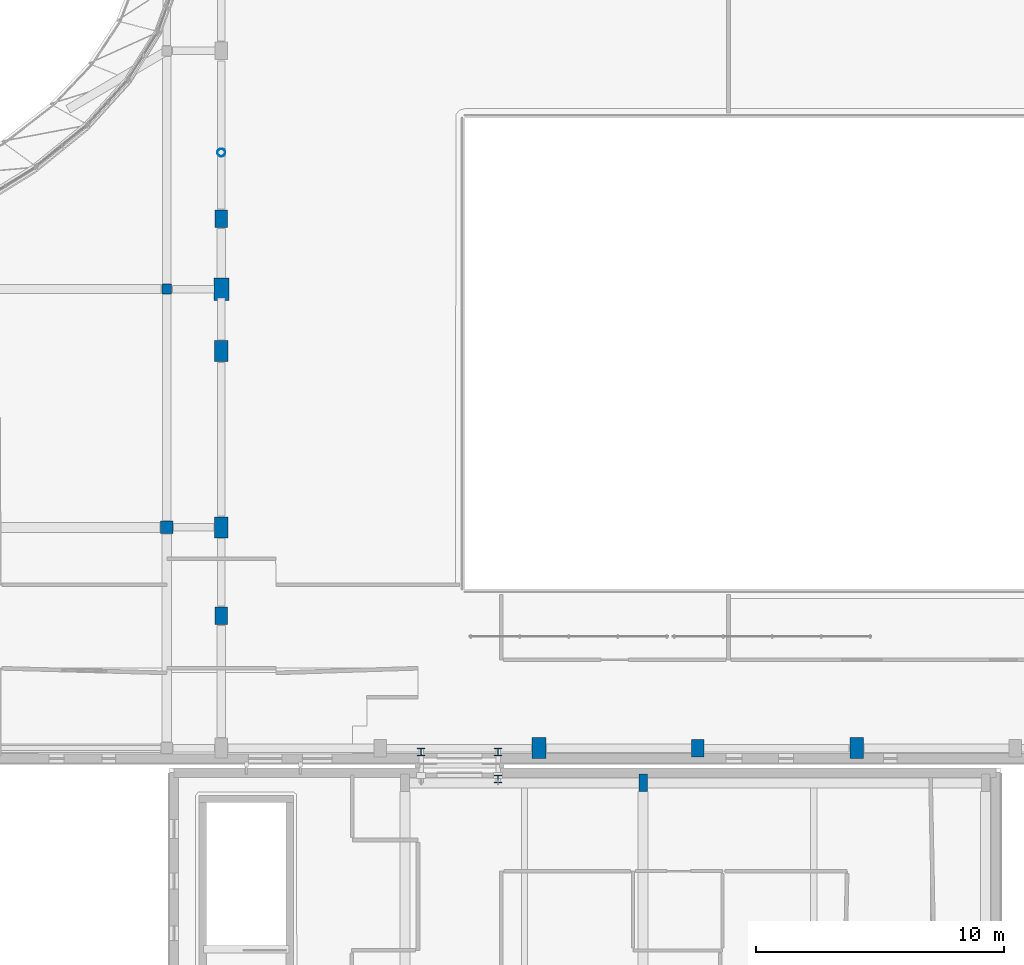
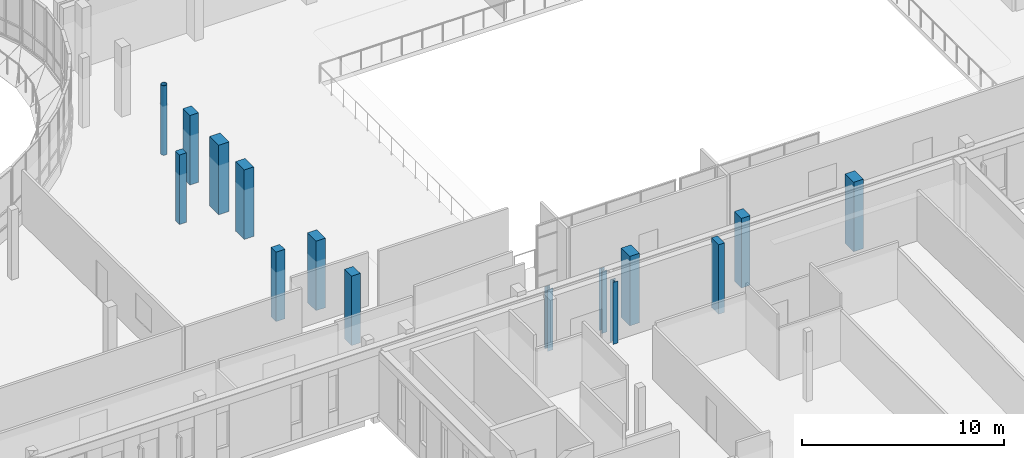
# One storey, part 5 of 84: 15 columns.
"""IFC4 building model written with IfcOpenShell, lengths in metres."""

from ifc_helpers import new_model, si_unit, direction, frame, origin, origin_2d, place, context, subcontext, project, spatial, rectangle, hollow_circle, i_section, extrude, material, material_profile, profile_set, type_object, element, save


model = new_model("IFC4")

# Units and contexts
model_context = context("Model", 3, precision=1e-05, world=origin(), true_north=direction((0.0, 1.0)))
body_context = subcontext(model_context, "Body", "Model", "MODEL_VIEW")
ifc_project = project(units=[si_unit("LENGTHUNIT", "METRE"), si_unit("AREAUNIT", "SQUARE_METRE"), si_unit("VOLUMEUNIT", "CUBIC_METRE"), si_unit("PLANEANGLEUNIT", "RADIAN"), si_unit("MASSUNIT", "GRAM", prefix="KILO")], contexts=[model_context])

# Site, building, storey
site_placement = place(None, origin())
site = spatial("IfcSite", under=ifc_project, at=site_placement, CompositionType="ELEMENT")
building_placement = place(site_placement, origin())
building = spatial("IfcBuilding", under=site, at=building_placement, Name="Mzevani Central Library", CompositionType="ELEMENT")
storey_placement = place(building_placement, frame((0.0, 0.0, 5.39990234375)))
storey = spatial("IfcBuildingStorey", under=building, at=storey_placement, Name="L01", CompositionType="ELEMENT", Elevation=5.39990234375)

# Columns
ifc_material_1 = material(Name="Steel S355J2", Category="steel")
ifc_material_profile_1 = material_profile(ifc_material_1, i_section(OverallWidth=0.300048828125, OverallDepth=0.300048828125, WebThickness=0.010986328125, FlangeThickness=0.01904296875, FilletRadius=0.027099609375, at=origin_2d()), Name="HEB 300")
ifc_profile_set_1 = profile_set([ifc_material_profile_1], Name="Steel S355J2")
column_type_1 = type_object("IfcColumnType", Name="Atrium Steel Column HEB 300", PredefinedType="COLUMN", material=ifc_profile_set_1)
for number, where, z_axis, x_axis, name in (
    (1, (122.25, 42.949951171875, 0.0), (0.0, 0.0, 1.0), (1.0, 0.0, 0.0), "L01 Seismic Joint Corbel Column 7"),
    (2, (125.35009765625, 41.85009765625, 0.0), (0.0, 0.0, 1.0), (1.0, 0.0, 0.0), "L01 Seismic Joint Corbel Column 8"),
    (3, (125.35009765625, 42.949951171875, 0.0), (0.0, 0.0, 1.0), (1.0, 0.0, 0.0), "L01 Seismic Joint Corbel Column 9"),
):
    element("IfcColumn", number, at=place(storey_placement, frame(where, z_axis=z_axis, x_axis=x_axis)), inside=storey, type_object=column_type_1, Name=name, PredefinedType="COLUMN", context=body_context, shape_type="SweptSolid", body=[
        extrude(i_section(OverallWidth=0.300048828125, OverallDepth=0.300048828125, WebThickness=0.010986328125, FlangeThickness=0.01904296875, FilletRadius=0.027099609375, at=origin_2d()), origin(), (0.0, 0.0, 1.0), 3.7451171875),
    ])
ifc_material_2 = material(Name="Concrete C40/50", Category="concrete")
ifc_material_profile_2 = material_profile(ifc_material_2, rectangle(XDim=0.39990234375, YDim=0.39990234375, at=origin_2d()), Name="RC 400x400")
ifc_profile_set_2 = profile_set([ifc_material_profile_2], Name="Concrete C40/50")
column_type_2 = type_object("IfcColumnType", Name="Column RC 400x400", PredefinedType="COLUMN", material=ifc_profile_set_2)
column_1_placement = place(storey_placement, frame((112.0, 61.60009765625, 0.0), z_axis=(0.0, 0.0, 1.0), x_axis=(1.0, 0.0, 0.0)))
element("IfcColumn", 4, at=column_1_placement, inside=storey, type_object=column_type_2, Name="L01 V1 Column C-02 (24)", PredefinedType="COLUMN", context=body_context, shape_type="SweptSolid", body=[
    extrude(rectangle(XDim=0.39990234375, YDim=0.39990234375, at=origin_2d()), origin(), (0.0, 0.0, 1.0), 4.2001953125),
])
ifc_material_profile_3 = material_profile(ifc_material_2, rectangle(XDim=0.5, YDim=0.5, at=origin_2d()), Name="RC 500x500")
ifc_profile_set_3 = profile_set([ifc_material_profile_3], Name="Concrete C40/50")
column_type_3 = type_object("IfcColumnType", Name="Column RC 500x500", PredefinedType="COLUMN", material=ifc_profile_set_3)
column_2_placement = place(storey_placement, frame((112.0, 52.0, 0.0), z_axis=(0.0, 0.0, 1.0), x_axis=(1.0, 0.0, 0.0)))
element("IfcColumn", 5, at=column_2_placement, inside=storey, type_object=column_type_3, Name="L01 V1 Column C-04 (23)", PredefinedType="COLUMN", context=body_context, shape_type="SweptSolid", body=[
    extrude(rectangle(XDim=0.5, YDim=0.5, at=origin_2d()), origin(), (0.0, 0.0, 1.0), 4.2001953125),
])
ifc_material_profile_4 = material_profile(ifc_material_2, rectangle(XDim=0.5, YDim=0.699951171875, at=origin_2d()), Name="RC 500x700")
ifc_profile_set_4 = profile_set([ifc_material_profile_4], Name="Concrete C40/50")
column_type_4 = type_object("IfcColumnType", Name="Column RC 500x700", PredefinedType="COLUMN", material=ifc_profile_set_4)
for number, where, z_axis, x_axis, name in (
    (6, (133.39990234375, 43.10009765625, 0.0), (0.0, 0.0, 1.0), (1.0, 0.0, 0.0), "L01 V1 Column C-14 (42)"),
    (7, (114.199951171875, 48.43310546875, 0.0), (0.0, 0.0, 1.0), (1.0, 0.0, 0.0), "L01 V1 Column C-14 (50)"),
    (8, (114.199951171875, 64.43310546875, 0.0), (0.0, 0.0, 1.0), (1.0, 0.0, 0.0), "L01 V1 Column C-14 (54)"),
):
    element("IfcColumn", number, at=place(storey_placement, frame(where, z_axis=z_axis, x_axis=x_axis)), inside=storey, type_object=column_type_4, Name=name, PredefinedType="COLUMN", context=body_context, shape_type="SweptSolid", body=[
        extrude(rectangle(XDim=0.5, YDim=0.699951171875, at=origin_2d()), origin(), (0.0, 0.0, 1.0), 4.2001953125),
    ])
ifc_material_profile_5 = material_profile(ifc_material_2, rectangle(XDim=0.550048828125, YDim=0.85009765625, at=origin_2d()), Name="RC 550x850")
ifc_profile_set_5 = profile_set([ifc_material_profile_5], Name="Concrete C40/50")
column_type_5 = type_object("IfcColumnType", Name="Column RC 550x850", PredefinedType="COLUMN", material=ifc_profile_set_5)
for number, where, z_axis, x_axis, name in (
    (9, (114.199951171875, 52.0, 0.0), (0.0, 0.0, 1.0), (1.0, 0.0, 0.0), "L01 V1 Column C-16 (28)"),
    (10, (127.0, 43.10009765625, 0.0), (0.0, 0.0, 1.0), (1.0, 0.0, 0.0), "L01 V1 Column C-16 (40)"),
    (11, (139.800048828125, 43.10009765625, 0.0), (0.0, 0.0, 1.0), (1.0, 0.0, 0.0), "L01 V1 Column C-16 (44)"),
    (12, (114.199951171875, 59.10009765625, 0.0), (0.0, 0.0, 1.0), (1.0, 0.0, 0.0), "L01 V1 Column C-16 (52)"),
):
    element("IfcColumn", number, at=place(storey_placement, frame(where, z_axis=z_axis, x_axis=x_axis)), inside=storey, type_object=column_type_5, Name=name, PredefinedType="COLUMN", context=body_context, shape_type="SweptSolid", body=[
        extrude(rectangle(XDim=0.550048828125, YDim=0.85009765625, at=origin_2d()), origin(), (0.0, 0.0, 1.0), 4.2001953125),
    ])
ifc_material_profile_6 = material_profile(ifc_material_2, rectangle(XDim=0.60009765625, YDim=0.89990234375, at=origin_2d()), Name="RC 600x900")
ifc_profile_set_6 = profile_set([ifc_material_profile_6], Name="Concrete C40/50")
column_type_6 = type_object("IfcColumnType", Name="Column RC 600x900", PredefinedType="COLUMN", material=ifc_profile_set_6)
column_3_placement = place(storey_placement, frame((114.199951171875, 61.60009765625, 0.0), z_axis=(0.0, 0.0, 1.0), x_axis=(1.0, 0.0, 0.0)))
element("IfcColumn", 13, at=column_3_placement, inside=storey, type_object=column_type_6, Name="L01 V1 Column C-17 (29)", PredefinedType="COLUMN", context=body_context, shape_type="SweptSolid", body=[
    extrude(rectangle(XDim=0.60009765625, YDim=0.89990234375, at=origin_2d()), origin(), (0.0, 0.0, 1.0), 4.2001953125),
])
ifc_material_profile_7 = material_profile(ifc_material_1, hollow_circle(Radius=0.161865234375, WallThickness=0.012451171875, at=origin_2d()), Name="CHS 323.9x12.5")
ifc_profile_set_7 = profile_set([ifc_material_profile_7], Name="Steel S355J2")
column_type_7 = type_object("IfcColumnType", Name="Feature Tubular Column CHS 323", PredefinedType="COLUMN", material=ifc_profile_set_7)
column_4_placement = place(storey_placement, frame((114.199951171875, 67.10009765625, 0.0), z_axis=(0.0, 0.0, 1.0), x_axis=(1.0, 0.0, 0.0)))
element("IfcColumn", 14, at=column_4_placement, inside=storey, type_object=column_type_7, Name="L01 Gridshell Ring Support Column 04", PredefinedType="COLUMN", context=body_context, shape_type="SweptSolid", body=[
    extrude(hollow_circle(Radius=0.161865234375, WallThickness=0.012451171875, at=origin_2d()), origin(), (0.0, 0.0, 1.0), 4.2001953125),
])
ifc_material_profile_8 = material_profile(ifc_material_2, rectangle(XDim=0.35009765625, YDim=0.699951171875, at=origin_2d()), Name="RC 350x700")
ifc_profile_set_8 = profile_set([ifc_material_profile_8], Name="Concrete C40/50")
column_type_8 = type_object("IfcColumnType", Name="Joint Twin Column RC 350x700", PredefinedType="COLUMN", material=ifc_profile_set_8)
column_5_placement = place(storey_placement, frame((131.199951171875, 41.699951171875, 0.0), z_axis=(0.0, 0.0, 1.0), x_axis=(1.0, 0.0, 0.0)))
element("IfcColumn", 15, at=column_5_placement, inside=storey, type_object=column_type_8, Name="L01 V6 Column C-18 (223)", PredefinedType="COLUMN", context=body_context, shape_type="SweptSolid", body=[
    extrude(rectangle(XDim=0.35009765625, YDim=0.699951171875, at=origin_2d()), origin(), (0.0, 0.0, 1.0), 4.2001953125),
])

save(model, "model.ifc")
